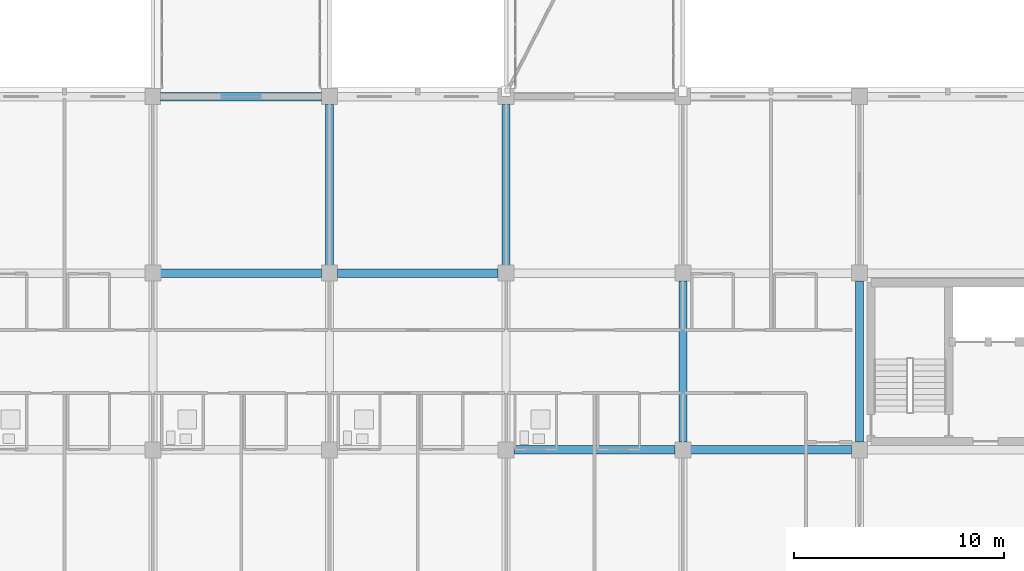
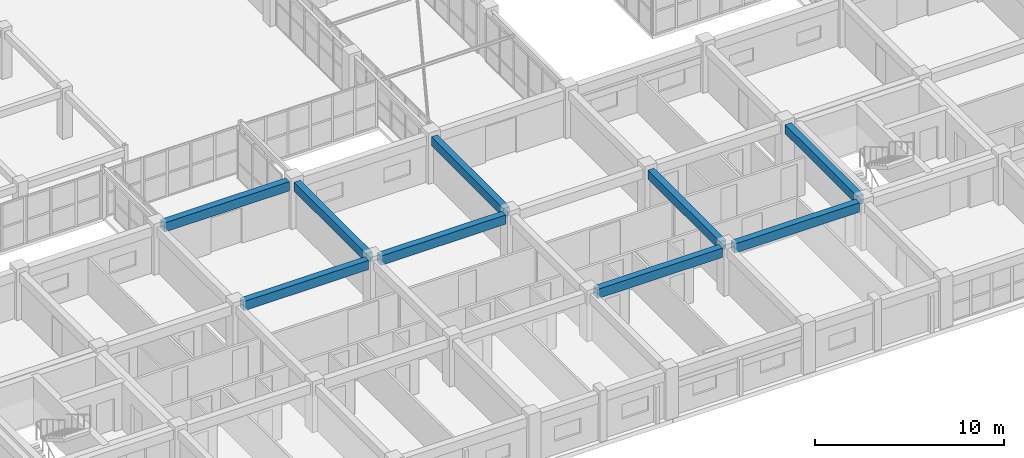
# One storey, part 46 of 200: 9 beams.
"""IFC4 building model written with IfcOpenShell, lengths in metres."""

import ifcopenshell
import ifcopenshell.guid

model = None  # the IFC model being written
_history = None  # IfcOwnerHistory: only IFC2X3 demands one
_inside = {}  # id of a spatial element -> (the spatial element, [elements in it])
_under = {}  # id of a project, library or spatial element -> (it, [spatial elements below it])
_declared = {}  # id of a project -> (the project, [libraries it declares])
_typed = {}  # id of a type object -> (the type object, [elements of that type])
_made_of = {}  # id of a material, layer set ... -> (it, [elements and type objects made of it])


def new_model(schema):
    """Start an empty IFC model of exactly this schema.

    Asked for "IFC4X3", IfcOpenShell would pick the latest addendum, in which some entities
    have other attributes; the version numbers below select the first issue.
    IFC2X3 requires an IfcOwnerHistory on every rooted entity: one is made here for all.
    """
    global model, _history
    if schema == "IFC4X3":
        model = ifcopenshell.file(schema_version=(4, 3, 0, 0))
    else:
        model = ifcopenshell.file(schema=schema)
    _inside.clear()
    _under.clear()
    _declared.clear()
    _typed.clear()
    _made_of.clear()
    _history = None
    if model.schema == "IFC2X3":
        org = make("IfcOrganization", Name="unknown")
        user = make(
            "IfcPersonAndOrganization",
            ThePerson=make("IfcPerson", FamilyName="unknown"),
            TheOrganization=org,
        )
        app = make(
            "IfcApplication",
            ApplicationDeveloper=org,
            Version="unknown",
            ApplicationFullName="unknown",
            ApplicationIdentifier="unknown",
        )
        _history = make(
            "IfcOwnerHistory",
            OwningUser=user,
            OwningApplication=app,
            ChangeAction="ADDED",
            CreationDate=0,
        )
    return model


def make(cls, **values):
    """One entity of the class cls with the attributes given. An attribute that is None is left unset."""
    return model.create_entity(
        cls, **{name: value for name, value in values.items() if value is not None}
    )


def rooted(cls, **values):
    """An entity with a GlobalId (a new one), such as an element, a storey or a relation."""
    return make(cls, GlobalId=ifcopenshell.guid.new(), OwnerHistory=_history, **values)


def si_unit(unit_type, name, prefix=None):
    """IfcSIUnit, for example si_unit("LENGTHUNIT", "METRE", prefix="MILLI")."""
    return make("IfcSIUnit", UnitType=unit_type, Prefix=prefix, Name=name)


def assignment(units):
    """IfcUnitAssignment: the units of a project."""
    return None if units is None else make("IfcUnitAssignment", Units=units)


def point(xyz):
    """IfcCartesianPoint."""
    return None if xyz is None else make("IfcCartesianPoint", Coordinates=xyz)


def direction(xyz):
    """IfcDirection."""
    return None if xyz is None else make("IfcDirection", DirectionRatios=xyz)


def frame(location, z_axis=None, x_axis=None):
    """IfcAxis2Placement3D, a coordinate frame: its origin and axes. An axis left out is left unset."""
    return make(
        "IfcAxis2Placement3D",
        Location=point(location),
        Axis=direction(z_axis),
        RefDirection=direction(x_axis),
    )


def frame_2d(location, x_axis=None):
    """IfcAxis2Placement2D, a coordinate frame in the plane: its origin and x axis."""
    return make(
        "IfcAxis2Placement2D", Location=point(location), RefDirection=direction(x_axis)
    )


def origin():
    """The frame at (0, 0, 0) with its axes left unset."""
    return frame((0.0, 0.0, 0.0))


def origin_2d():
    """The frame at (0, 0) in the plane with its x axis left unset."""
    return frame_2d((0.0, 0.0))


def place(relative_to, where):
    """IfcLocalPlacement: puts the frame where relative to a parent placement (None: the world)."""
    return make(
        "IfcLocalPlacement", PlacementRelTo=relative_to, RelativePlacement=where
    )


def context(
    kind, dimensions, precision=None, world=None, true_north=None, identifier=None
):
    """IfcGeometricRepresentationContext, for example the 3D "Model" context."""
    return make(
        "IfcGeometricRepresentationContext",
        ContextIdentifier=identifier,
        ContextType=kind,
        CoordinateSpaceDimension=dimensions,
        Precision=precision,
        WorldCoordinateSystem=world,
        TrueNorth=true_north,
    )


def subcontext(parent, identifier, kind, view, scale=None):
    """IfcGeometricRepresentationSubContext, for example "Body" below "Model"."""
    return make(
        "IfcGeometricRepresentationSubContext",
        ContextIdentifier=identifier,
        ContextType=kind,
        ParentContext=parent,
        TargetScale=scale,
        TargetView=view,
    )


def project(units=None, contexts=None):
    """IfcProject with its units and contexts."""
    return rooted(
        "IfcProject",
        Name="project",
        RepresentationContexts=contexts,
        UnitsInContext=assignment(units),
    )


def spatial(cls, under=None, at=None, **own):
    """A site, building, storey or space (cls), placed at a placement, below another one or the project."""
    s = rooted(cls, ObjectPlacement=at, **own)
    if under is not None:
        _under.setdefault(under.id(), (under, []))[1].append(s)
    return s


def profile(cls, at=None, kind="AREA", **sizes):
    """A parametric profile (cls). Its sizes go by their IFC names, for example OverallWidth=200.0."""
    return make(cls, ProfileType=kind, Position=at, **sizes)


def rectangle(**sizes):
    """IfcRectangleProfileDef."""
    return profile("IfcRectangleProfileDef", **sizes)


def extrude(swept, where, along, depth):
    """IfcExtrudedAreaSolid: the profile swept, set in the frame where, extruded along a direction by depth."""
    return make(
        "IfcExtrudedAreaSolid",
        SweptArea=swept,
        Position=where,
        ExtrudedDirection=direction(along),
        Depth=depth,
    )


def shape(context_of_items, identifier, shape_type, items):
    """IfcShapeRepresentation: the items that make up one representation, for example the "Body"."""
    return make(
        "IfcShapeRepresentation",
        ContextOfItems=context_of_items,
        RepresentationIdentifier=identifier,
        RepresentationType=shape_type,
        Items=items,
    )


def material(Name=None, Category=None):
    """IfcMaterial."""
    return make("IfcMaterial", Name=Name, Category=Category)


def material_profile(
    of_material, cross_section, Name=None, Category=None, Priority=None
):
    """IfcMaterialProfile: a cross section and its material."""
    return make(
        "IfcMaterialProfile",
        Name=Name,
        Material=of_material,
        Profile=cross_section,
        Priority=Priority,
        Category=Category,
    )


def profile_set(profiles, Name=None, composite=None):
    """IfcMaterialProfileSet."""
    return make(
        "IfcMaterialProfileSet",
        Name=Name,
        MaterialProfiles=profiles,
        CompositeProfile=composite,
    )


def made_of(thing, what):
    """Note that an element or type object is made of a material, layer set ...; save() writes the relation."""
    if what is not None:
        _made_of.setdefault(what.id(), (what, []))[1].append(thing)
    return thing


def type_object(cls, material=None, **own):
    """A type object (cls), such as IfcWallType, which elements share."""
    return made_of(rooted(cls, **own), material)


def element(
    cls,
    number,
    at=None,
    inside=None,
    cuts=None,
    type_object=None,
    material=None,
    context=None,
    identifier="Body",
    shape_type=None,
    held_by="IfcProductDefinitionShape",
    body=None,
    shapes=None,
    **own,
):
    """One element of the class cls, such as IfcWall. Its Tag is "e" and its number.

    at: its placement. inside: the storey or other place that contains it. cuts: it is an
    opening in that element (IfcRelVoidsElement). A single representation is given by context,
    identifier, shape_type and body (its items); several are given by shapes. held_by: the class
    of the entity that holds the representations. save() writes the other relations.
    """
    e = rooted(cls, Tag="e%d" % number, ObjectPlacement=at, **own)
    if body is not None:
        shapes = [shape(context, identifier, shape_type, body)]
    if shapes is not None:
        e.Representation = make(held_by, Representations=shapes)
    if inside is not None:
        _inside.setdefault(inside.id(), (inside, []))[1].append(e)
    if cuts is not None:
        rooted(
            "IfcRelVoidsElement", RelatingBuildingElement=cuts, RelatedOpeningElement=e
        )
    if type_object is not None:
        _typed.setdefault(type_object.id(), (type_object, []))[1].append(e)
    return made_of(e, material)


def aggregate(whole, parts):
    """IfcRelAggregates: a whole, such as a stair, and the parts it consists of."""
    return rooted("IfcRelAggregates", RelatingObject=whole, RelatedObjects=parts)


def save(model, path):
    """Write the relations noted so far, then the file.

    IfcRelAggregates (storeys below a building ...), IfcRelContainedInSpatialStructure (elements
    in a storey), IfcRelDefinesByType, IfcRelAssociatesMaterial and IfcRelDeclares: one each for
    every whole, place, type object, material and project.
    """
    for whole, parts in _under.values():
        aggregate(whole, parts)
    for where, things in _inside.values():
        rooted(
            "IfcRelContainedInSpatialStructure",
            RelatedElements=things,
            RelatingStructure=where,
        )
    for kind, things in _typed.values():
        rooted("IfcRelDefinesByType", RelatedObjects=things, RelatingType=kind)
    for what, things in _made_of.values():
        rooted("IfcRelAssociatesMaterial", RelatedObjects=things, RelatingMaterial=what)
    for by, libraries in _declared.values():
        rooted("IfcRelDeclares", RelatingContext=by, RelatedDefinitions=libraries)
    model.write(path)


model = new_model("IFC4")

# Units and contexts
model_context = context("Model", 3, precision=1e-05, world=origin(), true_north=direction((0.0, 1.0)))
body_context = subcontext(model_context, "Body", "Model", "MODEL_VIEW")
ifc_project = project(units=[si_unit("LENGTHUNIT", "METRE"), si_unit("AREAUNIT", "SQUARE_METRE"), si_unit("VOLUMEUNIT", "CUBIC_METRE"), si_unit("PLANEANGLEUNIT", "RADIAN"), si_unit("MASSUNIT", "GRAM", prefix="KILO")], contexts=[model_context])

# Site, building, storey
site_placement = place(None, origin())
site = spatial("IfcSite", under=ifc_project, at=site_placement, CompositionType="ELEMENT")
building_placement = place(site_placement, origin())
building = spatial("IfcBuilding", under=site, at=building_placement, Name="Trelvath General Hospital", CompositionType="ELEMENT")
storey_placement = place(building_placement, frame((0.0, 0.0, 4.800048828125)))
storey = spatial("IfcBuildingStorey", under=building, at=storey_placement, Name="L01", CompositionType="ELEMENT", Elevation=4.800048828125)

# Beams
ifc_material_1 = material(Name="Concrete C35/45", Category="concrete")
ifc_material_profile_1 = material_profile(ifc_material_1, rectangle(XDim=0.3798828125, YDim=0.580078125, at=origin_2d()), Name="RCB380x580")
ifc_profile_set_1 = profile_set([ifc_material_profile_1], Name="Concrete C35/45")
beam_type_1 = type_object("IfcBeamType", Name="Beam RC380x580", PredefinedType="BEAM", material=ifc_profile_set_1)
for number, where, z_axis, x_axis, name in (
    (1, (67.199951171875, 17.175048828125, 2.72998046875), (0.0, 1.0, 0.0), (-1.0, 0.0, 0.0), "Grid Beam BY-108C"),
    (2, (75.60009765625, 17.175048828125, 2.72998046875), (0.0, 1.0, 0.0), (-1.0, 0.0, 0.0), "Grid Beam BY-109C"),
):
    element("IfcBeam", number, at=place(storey_placement, frame(where, z_axis=z_axis, x_axis=x_axis)), inside=storey, type_object=beam_type_1, Name=name, PredefinedType="BEAM", context=body_context, shape_type="SweptSolid", body=[
        extrude(rectangle(XDim=0.3798828125, YDim=0.580078125, at=origin_2d()), origin(), (0.0, 0.0, 1.0), 7.655029296875),
    ])
for number, where, z_axis, x_axis, name in (
    (3, (84.0, 8.77490234375, 2.72998046875), (0.0, 1.0, 0.0), (-1.0, 0.0, 0.0), "Grid Beam BY-110B"),
    (4, (92.39990234375, 8.77490234375, 2.72998046875), (0.0, 1.0, 0.0), (-1.0, 0.0, 0.0), "Grid Beam BY-111B"),
):
    element("IfcBeam", number, at=place(storey_placement, frame(where, z_axis=z_axis, x_axis=x_axis)), inside=storey, type_object=beam_type_1, Name=name, PredefinedType="BEAM", context=body_context, shape_type="SweptSolid", body=[
        extrude(rectangle(XDim=0.3798828125, YDim=0.580078125, at=origin_2d()), origin(), (0.0, 0.0, 1.0), 7.650146484375),
    ])
ifc_material_2 = material(Name="Concrete C35/45", Category="concrete")
ifc_material_profile_2 = material_profile(ifc_material_2, rectangle(XDim=0.39990234375, YDim=0.60009765625, at=origin_2d()), Name="RCB400x600")
ifc_profile_set_2 = profile_set([ifc_material_profile_2], Name="Concrete C35/45")
beam_type_2 = type_object("IfcBeamType", Name="Beam RC400x600", PredefinedType="BEAM", material=ifc_profile_set_2)
beam_1_placement = place(storey_placement, frame((59.175048828125, 16.800048828125, 2.719970703125), z_axis=(1.0, 0.0, 0.0), x_axis=(0.0, 1.0, 0.0)))
element("IfcBeam", 5, at=beam_1_placement, inside=storey, type_object=beam_type_2, Name="Grid Beam BX-107C", PredefinedType="BEAM", context=body_context, shape_type="SweptSolid", body=[
    extrude(rectangle(XDim=0.39990234375, YDim=0.60009765625, at=origin_2d()), origin(), (0.0, 0.0, 1.0), 7.64990234375),
])
beam_2_placement = place(storey_placement, frame((59.169921875, 25.199951171875, 2.719970703125), z_axis=(1.0, 0.0, 0.0), x_axis=(0.0, 1.0, 0.0)))
element("IfcBeam", 6, at=beam_2_placement, inside=storey, type_object=beam_type_2, Name="Grid Beam BX-107D", PredefinedType="BEAM", context=body_context, shape_type="SweptSolid", body=[
    extrude(rectangle(XDim=0.39990234375, YDim=0.60009765625, at=origin_2d()), origin(), (0.0, 0.0, 1.0), 7.66015625),
])
beam_3_placement = place(storey_placement, frame((67.574951171875, 16.800048828125, 2.719970703125), z_axis=(1.0, 0.0, 0.0), x_axis=(0.0, 1.0, 0.0)))
element("IfcBeam", 7, at=beam_3_placement, inside=storey, type_object=beam_type_2, Name="Grid Beam BX-108C", PredefinedType="BEAM", context=body_context, shape_type="SweptSolid", body=[
    extrude(rectangle(XDim=0.39990234375, YDim=0.60009765625, at=origin_2d()), origin(), (0.0, 0.0, 1.0), 7.650146484375),
])
for number, where, z_axis, x_axis, name in (
    (8, (75.97509765625, 8.39990234375, 2.719970703125), (1.0, 0.0, 0.0), (0.0, 1.0, 0.0), "Grid Beam BX-109B"),
    (9, (84.375, 8.39990234375, 2.719970703125), (1.0, 0.0, 0.0), (0.0, 1.0, 0.0), "Grid Beam BX-110B"),
):
    element("IfcBeam", number, at=place(storey_placement, frame(where, z_axis=z_axis, x_axis=x_axis)), inside=storey, type_object=beam_type_2, Name=name, PredefinedType="BEAM", context=body_context, shape_type="SweptSolid", body=[
        extrude(rectangle(XDim=0.39990234375, YDim=0.60009765625, at=origin_2d()), origin(), (0.0, 0.0, 1.0), 7.64990234375),
    ])

save(model, "model.ifc")
